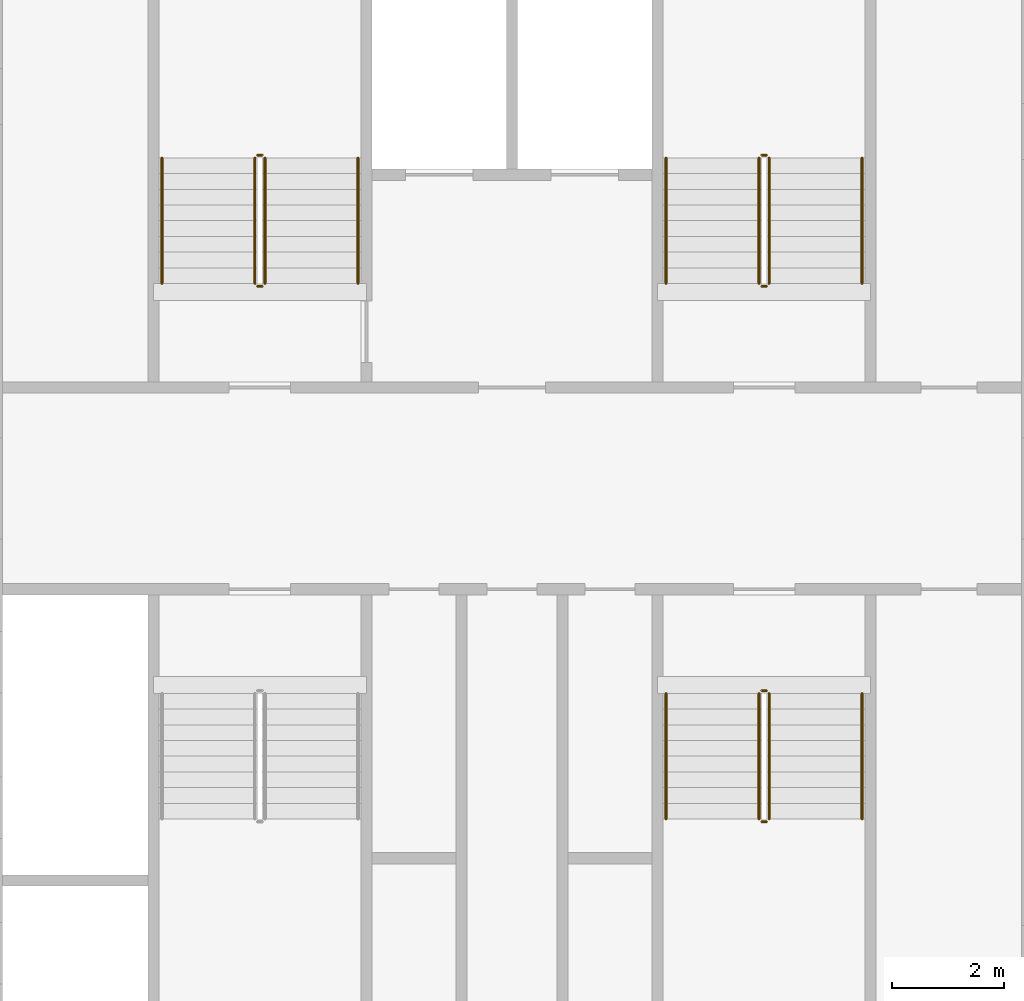
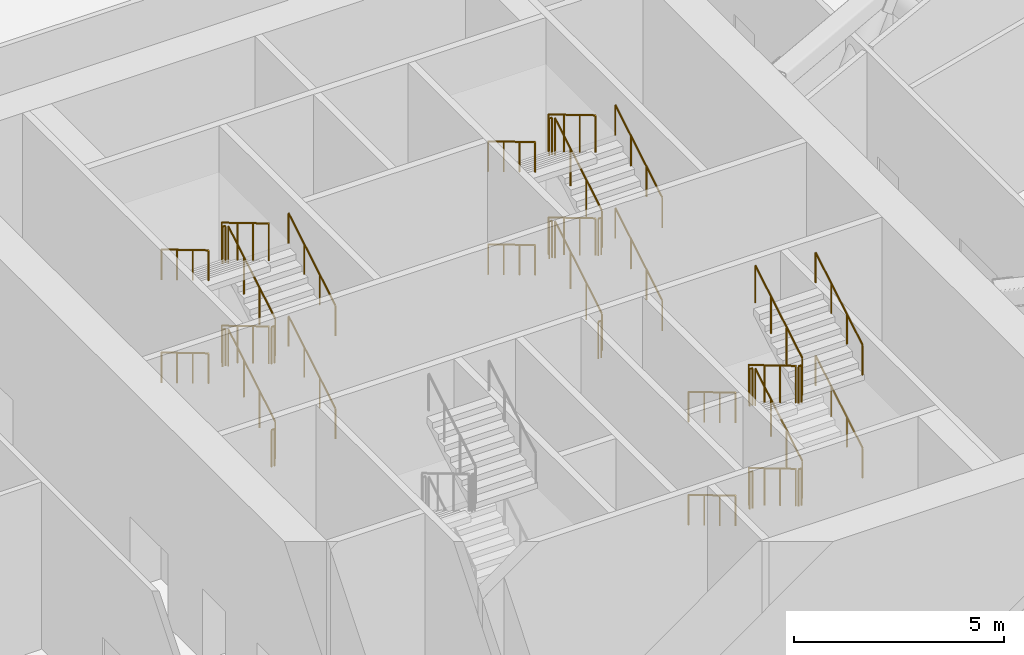
# One storey, part 41 of 48: 36 railings.
"""IFC4 building model written with IfcOpenShell, lengths in metres."""

from ifc_helpers import new_model, si_unit, direction, frame, origin, origin_2d, place, context, subcontext, project, spatial, circle, extrude, material, type_object, element, save


model = new_model("IFC4")

# Units and contexts
model_context = context("Model", 3, precision=1e-05, world=origin(), true_north=direction((0.0, 1.0)))
body_context = subcontext(model_context, "Body", "Model", "MODEL_VIEW")
ifc_project = project(units=[si_unit("LENGTHUNIT", "METRE"), si_unit("AREAUNIT", "SQUARE_METRE"), si_unit("VOLUMEUNIT", "CUBIC_METRE"), si_unit("PLANEANGLEUNIT", "RADIAN"), si_unit("MASSUNIT", "GRAM", prefix="KILO")], contexts=[model_context])

# Site, building, storey
site_placement = place(None, origin())
site = spatial("IfcSite", under=ifc_project, at=site_placement, CompositionType="ELEMENT")
building_placement = place(site_placement, origin())
building = spatial("IfcBuilding", under=site, at=building_placement, Name="Tarsis Ring Headquarters", CompositionType="ELEMENT")
storey_placement = place(building_placement, frame((0.0, 0.0, 34.0)))
storey = spatial("IfcBuildingStorey", under=building, at=storey_placement, Name="L06", CompositionType="ELEMENT", Elevation=34.0)

# Railings
ifc_material = material(Name="Steel S355", Category="steel")
railing_type_1 = type_object("IfcRailingType", Name="Core stair guard 1100", PredefinedType="GUARDRAIL", material=ifc_material)
railing_1_placement = place(storey_placement, frame((-4.409912109375, 3.659912109375, 0.166748046875)))
element("IfcRailing", 1, at=railing_1_placement, inside=storey, type_object=railing_type_1, Name="L06 ST1 stair guard 1", PredefinedType="GUARDRAIL", context=body_context, shape_type="SweptSolid", body=[
    extrude(circle(Radius=0.02392578125, at=origin_2d()), frame((0.0, 0.0, 1.076171875), z_axis=(0.0, 0.859305625298, 0.511462454469), x_axis=(-1.0, 0.0, 0.0)), (0.0, 0.0, 1.0), 2.606689453125),
    extrude(circle(Radius=0.02099609375, at=origin_2d()), origin(), (0.0, 0.0, 1.0), 1.052001953125),
    extrude(circle(Radius=0.02099609375, at=origin_2d()), frame((0.0, 0.74658203125, 0.4443359375)), (0.0, 0.0, 1.0), 1.052001953125),
    extrude(circle(Radius=0.02099609375, at=origin_2d()), frame((0.0, 1.493408203125, 0.888916015625)), (0.0, 0.0, 1.0), 1.052001953125),
    extrude(circle(Radius=0.02099609375, at=origin_2d()), frame((0.0, 2.239990234375, 1.333251953125)), (0.0, 0.0, 1.0), 1.052001953125),
])
railing_2_placement = place(storey_placement, frame((-4.4599609375, 5.949951171875, 1.5)))
element("IfcRailing", 2, at=railing_2_placement, inside=storey, type_object=railing_type_1, Name="L06 ST1 stair guard 2", PredefinedType="GUARDRAIL", context=body_context, shape_type="SweptSolid", body=[
    extrude(circle(Radius=0.02392578125, at=origin_2d()), frame((0.0, 0.0, 1.076171875), z_axis=(-1.0, 0.0, 0.0), x_axis=(0.0, -1.0, 0.0)), (0.0, 0.0, 1.0), 0.080078125),
    extrude(circle(Radius=0.02099609375, at=origin_2d()), origin(), (0.0, 0.0, 1.0), 1.052001953125),
    extrude(circle(Radius=0.02099609375, at=origin_2d()), frame((-0.080078125, 0.0, 0.0)), (0.0, 0.0, 1.0), 1.052001953125),
])
railing_3_placement = place(storey_placement, frame((-4.590087890625, 5.89990234375, 1.666748046875)))
element("IfcRailing", 3, at=railing_3_placement, inside=storey, type_object=railing_type_1, Name="L06 ST1 stair guard 3", PredefinedType="GUARDRAIL", context=body_context, shape_type="SweptSolid", body=[
    extrude(circle(Radius=0.02392578125, at=origin_2d()), frame((0.0, 0.0, 1.076171875), z_axis=(0.0, -0.859305625298, 0.511462454469), x_axis=(1.0, 0.0, 0.0)), (0.0, 0.0, 1.0), 2.606689453125),
    extrude(circle(Radius=0.02099609375, at=origin_2d()), origin(), (0.0, 0.0, 1.0), 1.052001953125),
    extrude(circle(Radius=0.02099609375, at=origin_2d()), frame((0.0, -0.74658203125, 0.4443359375)), (0.0, 0.0, 1.0), 1.052001953125),
    extrude(circle(Radius=0.02099609375, at=origin_2d()), frame((0.0, -1.493408203125, 0.888916015625)), (0.0, 0.0, 1.0), 1.052001953125),
    extrude(circle(Radius=0.02099609375, at=origin_2d()), frame((0.0, -2.239990234375, 1.333251953125)), (0.0, 0.0, 1.0), 1.052001953125),
])
railing_4_placement = place(storey_placement, frame((-4.4599609375, 3.610107421875, 3.0)))
element("IfcRailing", 4, at=railing_4_placement, inside=storey, type_object=railing_type_1, Name="L06 ST1 stair guard 4", PredefinedType="GUARDRAIL", context=body_context, shape_type="SweptSolid", body=[
    extrude(circle(Radius=0.02392578125, at=origin_2d()), frame((0.0, 0.0, 1.076171875), z_axis=(-1.0, 0.0, 0.0), x_axis=(0.0, -1.0, 0.0)), (0.0, 0.0, 1.0), 0.080078125),
    extrude(circle(Radius=0.02099609375, at=origin_2d()), origin(), (0.0, 0.0, 1.0), 1.052001953125),
    extrude(circle(Radius=0.02099609375, at=origin_2d()), frame((-0.080078125, 0.0, 0.0)), (0.0, 0.0, 1.0), 1.052001953125),
])
railing_5_placement = place(storey_placement, frame((-4.409912109375, 3.659912109375, 3.166748046875)))
element("IfcRailing", 5, at=railing_5_placement, inside=storey, type_object=railing_type_1, Name="L06 ST1 stair guard 5", PredefinedType="GUARDRAIL", context=body_context, shape_type="SweptSolid", body=[
    extrude(circle(Radius=0.02392578125, at=origin_2d()), frame((0.0, 0.0, 1.076171875), z_axis=(0.0, 0.859305625298, 0.511462454469), x_axis=(-1.0, 0.0, 0.0)), (0.0, 0.0, 1.0), 2.606689453125),
    extrude(circle(Radius=0.02099609375, at=origin_2d()), origin(), (0.0, 0.0, 1.0), 1.052001953125),
    extrude(circle(Radius=0.02099609375, at=origin_2d()), frame((0.0, 0.74658203125, 0.4443359375)), (0.0, 0.0, 1.0), 1.052001953125),
    extrude(circle(Radius=0.02099609375, at=origin_2d()), frame((0.0, 1.493408203125, 0.888916015625)), (0.0, 0.0, 1.0), 1.052001953125),
    extrude(circle(Radius=0.02099609375, at=origin_2d()), frame((0.0, 2.239990234375, 1.333251953125)), (0.0, 0.0, 1.0), 1.052001953125),
])
railing_6_placement = place(storey_placement, frame((-4.4599609375, 5.949951171875, 4.5)))
element("IfcRailing", 6, at=railing_6_placement, inside=storey, type_object=railing_type_1, Name="L06 ST1 stair guard 6", PredefinedType="GUARDRAIL", context=body_context, shape_type="SweptSolid", body=[
    extrude(circle(Radius=0.02392578125, at=origin_2d()), frame((0.0, 0.0, 1.076171875), z_axis=(-1.0, 0.0, 0.0), x_axis=(0.0, -1.0, 0.0)), (0.0, 0.0, 1.0), 0.080078125),
    extrude(circle(Radius=0.02099609375, at=origin_2d()), origin(), (0.0, 0.0, 1.0), 1.052001953125),
    extrude(circle(Radius=0.02099609375, at=origin_2d()), frame((-0.080078125, 0.0, 0.0)), (0.0, 0.0, 1.0), 1.052001953125),
])
railing_7_placement = place(storey_placement, frame((-4.590087890625, 5.89990234375, 4.666748046875)))
element("IfcRailing", 7, at=railing_7_placement, inside=storey, type_object=railing_type_1, Name="L06 ST1 stair guard 7", PredefinedType="GUARDRAIL", context=body_context, shape_type="SweptSolid", body=[
    extrude(circle(Radius=0.02392578125, at=origin_2d()), frame((0.0, 0.0, 1.076171875), z_axis=(0.0, -0.859305625298, 0.511462454469), x_axis=(1.0, 0.0, 0.0)), (0.0, 0.0, 1.0), 2.606689453125),
    extrude(circle(Radius=0.02099609375, at=origin_2d()), origin(), (0.0, 0.0, 1.0), 1.052001953125),
    extrude(circle(Radius=0.02099609375, at=origin_2d()), frame((0.0, -0.74658203125, 0.4443359375)), (0.0, 0.0, 1.0), 1.052001953125),
    extrude(circle(Radius=0.02099609375, at=origin_2d()), frame((0.0, -1.493408203125, 0.888916015625)), (0.0, 0.0, 1.0), 1.052001953125),
    extrude(circle(Radius=0.02099609375, at=origin_2d()), frame((0.0, -2.239990234375, 1.333251953125)), (0.0, 0.0, 1.0), 1.052001953125),
])
railing_8_placement = place(storey_placement, frame((-4.4599609375, 3.610107421875, 0.0)))
element("IfcRailing", 8, at=railing_8_placement, inside=storey, type_object=railing_type_1, Name="L06 ST1 stair guard 8", PredefinedType="GUARDRAIL", context=body_context, shape_type="SweptSolid", body=[
    extrude(circle(Radius=0.02392578125, at=origin_2d()), frame((0.0, 0.0, 1.076171875), z_axis=(-1.0, 0.0, 0.0), x_axis=(0.0, -1.0, 0.0)), (0.0, 0.0, 1.0), 0.080078125),
    extrude(circle(Radius=0.02099609375, at=origin_2d()), origin(), (0.0, 0.0, 1.0), 1.052001953125),
    extrude(circle(Radius=0.02099609375, at=origin_2d()), frame((-0.080078125, 0.0, 0.0)), (0.0, 0.0, 1.0), 1.052001953125),
])
railing_9_placement = place(storey_placement, frame((4.590087890625, 3.659912109375, 0.166748046875)))
element("IfcRailing", 9, at=railing_9_placement, inside=storey, type_object=railing_type_1, Name="L06 ST2 stair guard 1", PredefinedType="GUARDRAIL", context=body_context, shape_type="SweptSolid", body=[
    extrude(circle(Radius=0.02392578125, at=origin_2d()), frame((0.0, 0.0, 1.076171875), z_axis=(0.0, 0.859305625298, 0.511462454469), x_axis=(-1.0, 0.0, 0.0)), (0.0, 0.0, 1.0), 2.606689453125),
    extrude(circle(Radius=0.02099609375, at=origin_2d()), origin(), (0.0, 0.0, 1.0), 1.052001953125),
    extrude(circle(Radius=0.02099609375, at=origin_2d()), frame((0.0, 0.74658203125, 0.4443359375)), (0.0, 0.0, 1.0), 1.052001953125),
    extrude(circle(Radius=0.02099609375, at=origin_2d()), frame((0.0, 1.493408203125, 0.888916015625)), (0.0, 0.0, 1.0), 1.052001953125),
    extrude(circle(Radius=0.02099609375, at=origin_2d()), frame((0.0, 2.239990234375, 1.333251953125)), (0.0, 0.0, 1.0), 1.052001953125),
])
railing_10_placement = place(storey_placement, frame((4.5400390625, 5.949951171875, 1.5)))
element("IfcRailing", 10, at=railing_10_placement, inside=storey, type_object=railing_type_1, Name="L06 ST2 stair guard 2", PredefinedType="GUARDRAIL", context=body_context, shape_type="SweptSolid", body=[
    extrude(circle(Radius=0.02392578125, at=origin_2d()), frame((0.0, 0.0, 1.076171875), z_axis=(-1.0, 0.0, 0.0), x_axis=(0.0, -1.0, 0.0)), (0.0, 0.0, 1.0), 0.080078125),
    extrude(circle(Radius=0.02099609375, at=origin_2d()), origin(), (0.0, 0.0, 1.0), 1.052001953125),
    extrude(circle(Radius=0.02099609375, at=origin_2d()), frame((-0.080078125, 0.0, 0.0)), (0.0, 0.0, 1.0), 1.052001953125),
])
railing_11_placement = place(storey_placement, frame((4.409912109375, 5.89990234375, 1.666748046875)))
element("IfcRailing", 11, at=railing_11_placement, inside=storey, type_object=railing_type_1, Name="L06 ST2 stair guard 3", PredefinedType="GUARDRAIL", context=body_context, shape_type="SweptSolid", body=[
    extrude(circle(Radius=0.02392578125, at=origin_2d()), frame((0.0, 0.0, 1.076171875), z_axis=(0.0, -0.859305625298, 0.511462454469), x_axis=(1.0, 0.0, 0.0)), (0.0, 0.0, 1.0), 2.606689453125),
    extrude(circle(Radius=0.02099609375, at=origin_2d()), origin(), (0.0, 0.0, 1.0), 1.052001953125),
    extrude(circle(Radius=0.02099609375, at=origin_2d()), frame((0.0, -0.74658203125, 0.4443359375)), (0.0, 0.0, 1.0), 1.052001953125),
    extrude(circle(Radius=0.02099609375, at=origin_2d()), frame((0.0, -1.493408203125, 0.888916015625)), (0.0, 0.0, 1.0), 1.052001953125),
    extrude(circle(Radius=0.02099609375, at=origin_2d()), frame((0.0, -2.239990234375, 1.333251953125)), (0.0, 0.0, 1.0), 1.052001953125),
])
railing_12_placement = place(storey_placement, frame((4.5400390625, 3.610107421875, 3.0)))
element("IfcRailing", 12, at=railing_12_placement, inside=storey, type_object=railing_type_1, Name="L06 ST2 stair guard 4", PredefinedType="GUARDRAIL", context=body_context, shape_type="SweptSolid", body=[
    extrude(circle(Radius=0.02392578125, at=origin_2d()), frame((0.0, 0.0, 1.076171875), z_axis=(-1.0, 0.0, 0.0), x_axis=(0.0, -1.0, 0.0)), (0.0, 0.0, 1.0), 0.080078125),
    extrude(circle(Radius=0.02099609375, at=origin_2d()), origin(), (0.0, 0.0, 1.0), 1.052001953125),
    extrude(circle(Radius=0.02099609375, at=origin_2d()), frame((-0.080078125, 0.0, 0.0)), (0.0, 0.0, 1.0), 1.052001953125),
])
railing_13_placement = place(storey_placement, frame((4.590087890625, 3.659912109375, 3.166748046875)))
element("IfcRailing", 13, at=railing_13_placement, inside=storey, type_object=railing_type_1, Name="L06 ST2 stair guard 5", PredefinedType="GUARDRAIL", context=body_context, shape_type="SweptSolid", body=[
    extrude(circle(Radius=0.02392578125, at=origin_2d()), frame((0.0, 0.0, 1.076171875), z_axis=(0.0, 0.859305625298, 0.511462454469), x_axis=(-1.0, 0.0, 0.0)), (0.0, 0.0, 1.0), 2.606689453125),
    extrude(circle(Radius=0.02099609375, at=origin_2d()), origin(), (0.0, 0.0, 1.0), 1.052001953125),
    extrude(circle(Radius=0.02099609375, at=origin_2d()), frame((0.0, 0.74658203125, 0.4443359375)), (0.0, 0.0, 1.0), 1.052001953125),
    extrude(circle(Radius=0.02099609375, at=origin_2d()), frame((0.0, 1.493408203125, 0.888916015625)), (0.0, 0.0, 1.0), 1.052001953125),
    extrude(circle(Radius=0.02099609375, at=origin_2d()), frame((0.0, 2.239990234375, 1.333251953125)), (0.0, 0.0, 1.0), 1.052001953125),
])
railing_14_placement = place(storey_placement, frame((4.5400390625, 5.949951171875, 4.5)))
element("IfcRailing", 14, at=railing_14_placement, inside=storey, type_object=railing_type_1, Name="L06 ST2 stair guard 6", PredefinedType="GUARDRAIL", context=body_context, shape_type="SweptSolid", body=[
    extrude(circle(Radius=0.02392578125, at=origin_2d()), frame((0.0, 0.0, 1.076171875), z_axis=(-1.0, 0.0, 0.0), x_axis=(0.0, -1.0, 0.0)), (0.0, 0.0, 1.0), 0.080078125),
    extrude(circle(Radius=0.02099609375, at=origin_2d()), origin(), (0.0, 0.0, 1.0), 1.052001953125),
    extrude(circle(Radius=0.02099609375, at=origin_2d()), frame((-0.080078125, 0.0, 0.0)), (0.0, 0.0, 1.0), 1.052001953125),
])
railing_15_placement = place(storey_placement, frame((4.409912109375, 5.89990234375, 4.666748046875)))
element("IfcRailing", 15, at=railing_15_placement, inside=storey, type_object=railing_type_1, Name="L06 ST2 stair guard 7", PredefinedType="GUARDRAIL", context=body_context, shape_type="SweptSolid", body=[
    extrude(circle(Radius=0.02392578125, at=origin_2d()), frame((0.0, 0.0, 1.076171875), z_axis=(0.0, -0.859305625298, 0.511462454469), x_axis=(1.0, 0.0, 0.0)), (0.0, 0.0, 1.0), 2.606689453125),
    extrude(circle(Radius=0.02099609375, at=origin_2d()), origin(), (0.0, 0.0, 1.0), 1.052001953125),
    extrude(circle(Radius=0.02099609375, at=origin_2d()), frame((0.0, -0.74658203125, 0.4443359375)), (0.0, 0.0, 1.0), 1.052001953125),
    extrude(circle(Radius=0.02099609375, at=origin_2d()), frame((0.0, -1.493408203125, 0.888916015625)), (0.0, 0.0, 1.0), 1.052001953125),
    extrude(circle(Radius=0.02099609375, at=origin_2d()), frame((0.0, -2.239990234375, 1.333251953125)), (0.0, 0.0, 1.0), 1.052001953125),
])
railing_16_placement = place(storey_placement, frame((4.5400390625, 3.610107421875, 0.0)))
element("IfcRailing", 16, at=railing_16_placement, inside=storey, type_object=railing_type_1, Name="L06 ST2 stair guard 8", PredefinedType="GUARDRAIL", context=body_context, shape_type="SweptSolid", body=[
    extrude(circle(Radius=0.02392578125, at=origin_2d()), frame((0.0, 0.0, 1.076171875), z_axis=(-1.0, 0.0, 0.0), x_axis=(0.0, -1.0, 0.0)), (0.0, 0.0, 1.0), 0.080078125),
    extrude(circle(Radius=0.02099609375, at=origin_2d()), origin(), (0.0, 0.0, 1.0), 1.052001953125),
    extrude(circle(Radius=0.02099609375, at=origin_2d()), frame((-0.080078125, 0.0, 0.0)), (0.0, 0.0, 1.0), 1.052001953125),
])
railing_17_placement = place(storey_placement, frame((4.409912109375, -3.659912109375, 0.166748046875)))
element("IfcRailing", 17, at=railing_17_placement, inside=storey, type_object=railing_type_1, Name="L06 ST4 stair guard 1", PredefinedType="GUARDRAIL", context=body_context, shape_type="SweptSolid", body=[
    extrude(circle(Radius=0.02392578125, at=origin_2d()), frame((0.0, 0.0, 1.076171875), z_axis=(0.0, -0.859305625298, 0.511462454469), x_axis=(1.0, 0.0, 0.0)), (0.0, 0.0, 1.0), 2.606689453125),
    extrude(circle(Radius=0.02099609375, at=origin_2d()), origin(), (0.0, 0.0, 1.0), 1.052001953125),
    extrude(circle(Radius=0.02099609375, at=origin_2d()), frame((0.0, -0.74658203125, 0.4443359375)), (0.0, 0.0, 1.0), 1.052001953125),
    extrude(circle(Radius=0.02099609375, at=origin_2d()), frame((0.0, -1.493408203125, 0.888916015625)), (0.0, 0.0, 1.0), 1.052001953125),
    extrude(circle(Radius=0.02099609375, at=origin_2d()), frame((0.0, -2.239990234375, 1.333251953125)), (0.0, 0.0, 1.0), 1.052001953125),
])
railing_18_placement = place(storey_placement, frame((4.4599609375, -5.949951171875, 1.5)))
element("IfcRailing", 18, at=railing_18_placement, inside=storey, type_object=railing_type_1, Name="L06 ST4 stair guard 2", PredefinedType="GUARDRAIL", context=body_context, shape_type="SweptSolid", body=[
    extrude(circle(Radius=0.02392578125, at=origin_2d()), frame((0.0, 0.0, 1.076171875), z_axis=(1.0, 0.0, 0.0), x_axis=(0.0, 1.0, 0.0)), (0.0, 0.0, 1.0), 0.080078125),
    extrude(circle(Radius=0.02099609375, at=origin_2d()), origin(), (0.0, 0.0, 1.0), 1.052001953125),
    extrude(circle(Radius=0.02099609375, at=origin_2d()), frame((0.080078125, 0.0, 0.0)), (0.0, 0.0, 1.0), 1.052001953125),
])
railing_19_placement = place(storey_placement, frame((4.590087890625, -5.89990234375, 1.666748046875)))
element("IfcRailing", 19, at=railing_19_placement, inside=storey, type_object=railing_type_1, Name="L06 ST4 stair guard 3", PredefinedType="GUARDRAIL", context=body_context, shape_type="SweptSolid", body=[
    extrude(circle(Radius=0.02392578125, at=origin_2d()), frame((0.0, 0.0, 1.076171875), z_axis=(0.0, 0.859305625298, 0.511462454469), x_axis=(-1.0, 0.0, 0.0)), (0.0, 0.0, 1.0), 2.606689453125),
    extrude(circle(Radius=0.02099609375, at=origin_2d()), origin(), (0.0, 0.0, 1.0), 1.052001953125),
    extrude(circle(Radius=0.02099609375, at=origin_2d()), frame((0.0, 0.74658203125, 0.4443359375)), (0.0, 0.0, 1.0), 1.052001953125),
    extrude(circle(Radius=0.02099609375, at=origin_2d()), frame((0.0, 1.493408203125, 0.888916015625)), (0.0, 0.0, 1.0), 1.052001953125),
    extrude(circle(Radius=0.02099609375, at=origin_2d()), frame((0.0, 2.239990234375, 1.333251953125)), (0.0, 0.0, 1.0), 1.052001953125),
])
railing_20_placement = place(storey_placement, frame((4.4599609375, -3.610107421875, 3.0)))
element("IfcRailing", 20, at=railing_20_placement, inside=storey, type_object=railing_type_1, Name="L06 ST4 stair guard 4", PredefinedType="GUARDRAIL", context=body_context, shape_type="SweptSolid", body=[
    extrude(circle(Radius=0.02392578125, at=origin_2d()), frame((0.0, 0.0, 1.076171875), z_axis=(1.0, 0.0, 0.0), x_axis=(0.0, 1.0, 0.0)), (0.0, 0.0, 1.0), 0.080078125),
    extrude(circle(Radius=0.02099609375, at=origin_2d()), origin(), (0.0, 0.0, 1.0), 1.052001953125),
    extrude(circle(Radius=0.02099609375, at=origin_2d()), frame((0.080078125, 0.0, 0.0)), (0.0, 0.0, 1.0), 1.052001953125),
])
railing_21_placement = place(storey_placement, frame((4.409912109375, -3.659912109375, 3.166748046875)))
element("IfcRailing", 21, at=railing_21_placement, inside=storey, type_object=railing_type_1, Name="L06 ST4 stair guard 5", PredefinedType="GUARDRAIL", context=body_context, shape_type="SweptSolid", body=[
    extrude(circle(Radius=0.02392578125, at=origin_2d()), frame((0.0, 0.0, 1.076171875), z_axis=(0.0, -0.859305625298, 0.511462454469), x_axis=(1.0, 0.0, 0.0)), (0.0, 0.0, 1.0), 2.606689453125),
    extrude(circle(Radius=0.02099609375, at=origin_2d()), origin(), (0.0, 0.0, 1.0), 1.052001953125),
    extrude(circle(Radius=0.02099609375, at=origin_2d()), frame((0.0, -0.74658203125, 0.4443359375)), (0.0, 0.0, 1.0), 1.052001953125),
    extrude(circle(Radius=0.02099609375, at=origin_2d()), frame((0.0, -1.493408203125, 0.888916015625)), (0.0, 0.0, 1.0), 1.052001953125),
    extrude(circle(Radius=0.02099609375, at=origin_2d()), frame((0.0, -2.239990234375, 1.333251953125)), (0.0, 0.0, 1.0), 1.052001953125),
])
railing_22_placement = place(storey_placement, frame((4.4599609375, -5.949951171875, 4.5)))
element("IfcRailing", 22, at=railing_22_placement, inside=storey, type_object=railing_type_1, Name="L06 ST4 stair guard 6", PredefinedType="GUARDRAIL", context=body_context, shape_type="SweptSolid", body=[
    extrude(circle(Radius=0.02392578125, at=origin_2d()), frame((0.0, 0.0, 1.076171875), z_axis=(1.0, 0.0, 0.0), x_axis=(0.0, 1.0, 0.0)), (0.0, 0.0, 1.0), 0.080078125),
    extrude(circle(Radius=0.02099609375, at=origin_2d()), origin(), (0.0, 0.0, 1.0), 1.052001953125),
    extrude(circle(Radius=0.02099609375, at=origin_2d()), frame((0.080078125, 0.0, 0.0)), (0.0, 0.0, 1.0), 1.052001953125),
])
railing_23_placement = place(storey_placement, frame((4.590087890625, -5.89990234375, 4.666748046875)))
element("IfcRailing", 23, at=railing_23_placement, inside=storey, type_object=railing_type_1, Name="L06 ST4 stair guard 7", PredefinedType="GUARDRAIL", context=body_context, shape_type="SweptSolid", body=[
    extrude(circle(Radius=0.02392578125, at=origin_2d()), frame((0.0, 0.0, 1.076171875), z_axis=(0.0, 0.859305625298, 0.511462454469), x_axis=(-1.0, 0.0, 0.0)), (0.0, 0.0, 1.0), 2.606689453125),
    extrude(circle(Radius=0.02099609375, at=origin_2d()), origin(), (0.0, 0.0, 1.0), 1.052001953125),
    extrude(circle(Radius=0.02099609375, at=origin_2d()), frame((0.0, 0.74658203125, 0.4443359375)), (0.0, 0.0, 1.0), 1.052001953125),
    extrude(circle(Radius=0.02099609375, at=origin_2d()), frame((0.0, 1.493408203125, 0.888916015625)), (0.0, 0.0, 1.0), 1.052001953125),
    extrude(circle(Radius=0.02099609375, at=origin_2d()), frame((0.0, 2.239990234375, 1.333251953125)), (0.0, 0.0, 1.0), 1.052001953125),
])
railing_24_placement = place(storey_placement, frame((4.4599609375, -3.610107421875, 0.0)))
element("IfcRailing", 24, at=railing_24_placement, inside=storey, type_object=railing_type_1, Name="L06 ST4 stair guard 8", PredefinedType="GUARDRAIL", context=body_context, shape_type="SweptSolid", body=[
    extrude(circle(Radius=0.02392578125, at=origin_2d()), frame((0.0, 0.0, 1.076171875), z_axis=(1.0, 0.0, 0.0), x_axis=(0.0, 1.0, 0.0)), (0.0, 0.0, 1.0), 0.080078125),
    extrude(circle(Radius=0.02099609375, at=origin_2d()), origin(), (0.0, 0.0, 1.0), 1.052001953125),
    extrude(circle(Radius=0.02099609375, at=origin_2d()), frame((0.080078125, 0.0, 0.0)), (0.0, 0.0, 1.0), 1.052001953125),
])
railing_type_2 = type_object("IfcRailingType", Name="Core stair handrail 900", PredefinedType="HANDRAIL", material=ifc_material)
railing_25_placement = place(storey_placement, frame((-2.75, 3.659912109375, 0.166748046875)))
element("IfcRailing", 25, at=railing_25_placement, inside=storey, type_object=railing_type_2, Name="L06 ST1 stair handrail 1", PredefinedType="HANDRAIL", context=body_context, shape_type="SweptSolid", body=[
    extrude(circle(Radius=0.02392578125, at=origin_2d()), frame((0.0, 0.0, 0.8759765625), z_axis=(0.0, 0.859305625298, 0.511462454469), x_axis=(-1.0, 0.0, 0.0)), (0.0, 0.0, 1.0), 2.606689453125),
    extrude(circle(Radius=0.02099609375, at=origin_2d()), origin(), (0.0, 0.0, 1.0), 0.851806640625),
    extrude(circle(Radius=0.02099609375, at=origin_2d()), frame((0.0, 0.74658203125, 0.4443359375)), (0.0, 0.0, 1.0), 0.851806640625),
    extrude(circle(Radius=0.02099609375, at=origin_2d()), frame((0.0, 1.493408203125, 0.888916015625)), (0.0, 0.0, 1.0), 0.851806640625),
    extrude(circle(Radius=0.02099609375, at=origin_2d()), frame((0.0, 2.239990234375, 1.333251953125)), (0.0, 0.0, 1.0), 0.851806640625),
])
railing_26_placement = place(storey_placement, frame((-6.25, 5.89990234375, 1.666748046875)))
element("IfcRailing", 26, at=railing_26_placement, inside=storey, type_object=railing_type_2, Name="L06 ST1 stair handrail 2", PredefinedType="HANDRAIL", context=body_context, shape_type="SweptSolid", body=[
    extrude(circle(Radius=0.02392578125, at=origin_2d()), frame((0.0, 0.0, 0.8759765625), z_axis=(0.0, -0.859305625298, 0.511462454469), x_axis=(1.0, 0.0, 0.0)), (0.0, 0.0, 1.0), 2.606689453125),
    extrude(circle(Radius=0.02099609375, at=origin_2d()), origin(), (0.0, 0.0, 1.0), 0.851806640625),
    extrude(circle(Radius=0.02099609375, at=origin_2d()), frame((0.0, -0.74658203125, 0.4443359375)), (0.0, 0.0, 1.0), 0.851806640625),
    extrude(circle(Radius=0.02099609375, at=origin_2d()), frame((0.0, -1.493408203125, 0.888916015625)), (0.0, 0.0, 1.0), 0.851806640625),
    extrude(circle(Radius=0.02099609375, at=origin_2d()), frame((0.0, -2.239990234375, 1.333251953125)), (0.0, 0.0, 1.0), 0.851806640625),
])
railing_27_placement = place(storey_placement, frame((-2.75, 3.659912109375, 3.166748046875)))
element("IfcRailing", 27, at=railing_27_placement, inside=storey, type_object=railing_type_2, Name="L06 ST1 stair handrail 3", PredefinedType="HANDRAIL", context=body_context, shape_type="SweptSolid", body=[
    extrude(circle(Radius=0.02392578125, at=origin_2d()), frame((0.0, 0.0, 0.8759765625), z_axis=(0.0, 0.859305625298, 0.511462454469), x_axis=(-1.0, 0.0, 0.0)), (0.0, 0.0, 1.0), 2.606689453125),
    extrude(circle(Radius=0.02099609375, at=origin_2d()), origin(), (0.0, 0.0, 1.0), 0.851806640625),
    extrude(circle(Radius=0.02099609375, at=origin_2d()), frame((0.0, 0.74658203125, 0.4443359375)), (0.0, 0.0, 1.0), 0.851806640625),
    extrude(circle(Radius=0.02099609375, at=origin_2d()), frame((0.0, 1.493408203125, 0.888916015625)), (0.0, 0.0, 1.0), 0.851806640625),
    extrude(circle(Radius=0.02099609375, at=origin_2d()), frame((0.0, 2.239990234375, 1.333251953125)), (0.0, 0.0, 1.0), 0.851806640625),
])
railing_28_placement = place(storey_placement, frame((-6.25, 5.89990234375, 4.666748046875)))
element("IfcRailing", 28, at=railing_28_placement, inside=storey, type_object=railing_type_2, Name="L06 ST1 stair handrail 4", PredefinedType="HANDRAIL", context=body_context, shape_type="SweptSolid", body=[
    extrude(circle(Radius=0.02392578125, at=origin_2d()), frame((0.0, 0.0, 0.8759765625), z_axis=(0.0, -0.859305625298, 0.511462454469), x_axis=(1.0, 0.0, 0.0)), (0.0, 0.0, 1.0), 2.606689453125),
    extrude(circle(Radius=0.02099609375, at=origin_2d()), origin(), (0.0, 0.0, 1.0), 0.851806640625),
    extrude(circle(Radius=0.02099609375, at=origin_2d()), frame((0.0, -0.74658203125, 0.4443359375)), (0.0, 0.0, 1.0), 0.851806640625),
    extrude(circle(Radius=0.02099609375, at=origin_2d()), frame((0.0, -1.493408203125, 0.888916015625)), (0.0, 0.0, 1.0), 0.851806640625),
    extrude(circle(Radius=0.02099609375, at=origin_2d()), frame((0.0, -2.239990234375, 1.333251953125)), (0.0, 0.0, 1.0), 0.851806640625),
])
railing_29_placement = place(storey_placement, frame((6.25, 3.659912109375, 0.166748046875)))
element("IfcRailing", 29, at=railing_29_placement, inside=storey, type_object=railing_type_2, Name="L06 ST2 stair handrail 1", PredefinedType="HANDRAIL", context=body_context, shape_type="SweptSolid", body=[
    extrude(circle(Radius=0.02392578125, at=origin_2d()), frame((0.0, 0.0, 0.8759765625), z_axis=(0.0, 0.859305625298, 0.511462454469), x_axis=(-1.0, 0.0, 0.0)), (0.0, 0.0, 1.0), 2.606689453125),
    extrude(circle(Radius=0.02099609375, at=origin_2d()), origin(), (0.0, 0.0, 1.0), 0.851806640625),
    extrude(circle(Radius=0.02099609375, at=origin_2d()), frame((0.0, 0.74658203125, 0.4443359375)), (0.0, 0.0, 1.0), 0.851806640625),
    extrude(circle(Radius=0.02099609375, at=origin_2d()), frame((0.0, 1.493408203125, 0.888916015625)), (0.0, 0.0, 1.0), 0.851806640625),
    extrude(circle(Radius=0.02099609375, at=origin_2d()), frame((0.0, 2.239990234375, 1.333251953125)), (0.0, 0.0, 1.0), 0.851806640625),
])
railing_30_placement = place(storey_placement, frame((2.75, 5.89990234375, 1.666748046875)))
element("IfcRailing", 30, at=railing_30_placement, inside=storey, type_object=railing_type_2, Name="L06 ST2 stair handrail 2", PredefinedType="HANDRAIL", context=body_context, shape_type="SweptSolid", body=[
    extrude(circle(Radius=0.02392578125, at=origin_2d()), frame((0.0, 0.0, 0.8759765625), z_axis=(0.0, -0.859305625298, 0.511462454469), x_axis=(1.0, 0.0, 0.0)), (0.0, 0.0, 1.0), 2.606689453125),
    extrude(circle(Radius=0.02099609375, at=origin_2d()), origin(), (0.0, 0.0, 1.0), 0.851806640625),
    extrude(circle(Radius=0.02099609375, at=origin_2d()), frame((0.0, -0.74658203125, 0.4443359375)), (0.0, 0.0, 1.0), 0.851806640625),
    extrude(circle(Radius=0.02099609375, at=origin_2d()), frame((0.0, -1.493408203125, 0.888916015625)), (0.0, 0.0, 1.0), 0.851806640625),
    extrude(circle(Radius=0.02099609375, at=origin_2d()), frame((0.0, -2.239990234375, 1.333251953125)), (0.0, 0.0, 1.0), 0.851806640625),
])
railing_31_placement = place(storey_placement, frame((6.25, 3.659912109375, 3.166748046875)))
element("IfcRailing", 31, at=railing_31_placement, inside=storey, type_object=railing_type_2, Name="L06 ST2 stair handrail 3", PredefinedType="HANDRAIL", context=body_context, shape_type="SweptSolid", body=[
    extrude(circle(Radius=0.02392578125, at=origin_2d()), frame((0.0, 0.0, 0.8759765625), z_axis=(0.0, 0.859305625298, 0.511462454469), x_axis=(-1.0, 0.0, 0.0)), (0.0, 0.0, 1.0), 2.606689453125),
    extrude(circle(Radius=0.02099609375, at=origin_2d()), origin(), (0.0, 0.0, 1.0), 0.851806640625),
    extrude(circle(Radius=0.02099609375, at=origin_2d()), frame((0.0, 0.74658203125, 0.4443359375)), (0.0, 0.0, 1.0), 0.851806640625),
    extrude(circle(Radius=0.02099609375, at=origin_2d()), frame((0.0, 1.493408203125, 0.888916015625)), (0.0, 0.0, 1.0), 0.851806640625),
    extrude(circle(Radius=0.02099609375, at=origin_2d()), frame((0.0, 2.239990234375, 1.333251953125)), (0.0, 0.0, 1.0), 0.851806640625),
])
for number, where, name in (
    (32, (2.75, 5.89990234375, 4.666748046875), "L06 ST2 stair handrail 4"),
    (33, (2.75, -3.659912109375, 0.166748046875), "L06 ST4 stair handrail 1"),
):
    element("IfcRailing", number, at=place(storey_placement, frame(where)), inside=storey, type_object=railing_type_2, Name=name, PredefinedType="HANDRAIL", context=body_context, shape_type="SweptSolid", body=[
        extrude(circle(Radius=0.02392578125, at=origin_2d()), frame((0.0, 0.0, 0.8759765625), z_axis=(0.0, -0.859305625298, 0.511462454469), x_axis=(1.0, 0.0, 0.0)), (0.0, 0.0, 1.0), 2.606689453125),
        extrude(circle(Radius=0.02099609375, at=origin_2d()), origin(), (0.0, 0.0, 1.0), 0.851806640625),
        extrude(circle(Radius=0.02099609375, at=origin_2d()), frame((0.0, -0.74658203125, 0.4443359375)), (0.0, 0.0, 1.0), 0.851806640625),
        extrude(circle(Radius=0.02099609375, at=origin_2d()), frame((0.0, -1.493408203125, 0.888916015625)), (0.0, 0.0, 1.0), 0.851806640625),
        extrude(circle(Radius=0.02099609375, at=origin_2d()), frame((0.0, -2.239990234375, 1.333251953125)), (0.0, 0.0, 1.0), 0.851806640625),
    ])
railing_32_placement = place(storey_placement, frame((6.25, -5.89990234375, 1.666748046875)))
element("IfcRailing", 34, at=railing_32_placement, inside=storey, type_object=railing_type_2, Name="L06 ST4 stair handrail 2", PredefinedType="HANDRAIL", context=body_context, shape_type="SweptSolid", body=[
    extrude(circle(Radius=0.02392578125, at=origin_2d()), frame((0.0, 0.0, 0.8759765625), z_axis=(0.0, 0.859305625298, 0.511462454469), x_axis=(-1.0, 0.0, 0.0)), (0.0, 0.0, 1.0), 2.606689453125),
    extrude(circle(Radius=0.02099609375, at=origin_2d()), origin(), (0.0, 0.0, 1.0), 0.851806640625),
    extrude(circle(Radius=0.02099609375, at=origin_2d()), frame((0.0, 0.74658203125, 0.4443359375)), (0.0, 0.0, 1.0), 0.851806640625),
    extrude(circle(Radius=0.02099609375, at=origin_2d()), frame((0.0, 1.493408203125, 0.888916015625)), (0.0, 0.0, 1.0), 0.851806640625),
    extrude(circle(Radius=0.02099609375, at=origin_2d()), frame((0.0, 2.239990234375, 1.333251953125)), (0.0, 0.0, 1.0), 0.851806640625),
])
railing_33_placement = place(storey_placement, frame((2.75, -3.659912109375, 3.166748046875)))
element("IfcRailing", 35, at=railing_33_placement, inside=storey, type_object=railing_type_2, Name="L06 ST4 stair handrail 3", PredefinedType="HANDRAIL", context=body_context, shape_type="SweptSolid", body=[
    extrude(circle(Radius=0.02392578125, at=origin_2d()), frame((0.0, 0.0, 0.8759765625), z_axis=(0.0, -0.859305625298, 0.511462454469), x_axis=(1.0, 0.0, 0.0)), (0.0, 0.0, 1.0), 2.606689453125),
    extrude(circle(Radius=0.02099609375, at=origin_2d()), origin(), (0.0, 0.0, 1.0), 0.851806640625),
    extrude(circle(Radius=0.02099609375, at=origin_2d()), frame((0.0, -0.74658203125, 0.4443359375)), (0.0, 0.0, 1.0), 0.851806640625),
    extrude(circle(Radius=0.02099609375, at=origin_2d()), frame((0.0, -1.493408203125, 0.888916015625)), (0.0, 0.0, 1.0), 0.851806640625),
    extrude(circle(Radius=0.02099609375, at=origin_2d()), frame((0.0, -2.239990234375, 1.333251953125)), (0.0, 0.0, 1.0), 0.851806640625),
])
railing_34_placement = place(storey_placement, frame((6.25, -5.89990234375, 4.666748046875)))
element("IfcRailing", 36, at=railing_34_placement, inside=storey, type_object=railing_type_2, Name="L06 ST4 stair handrail 4", PredefinedType="HANDRAIL", context=body_context, shape_type="SweptSolid", body=[
    extrude(circle(Radius=0.02392578125, at=origin_2d()), frame((0.0, 0.0, 0.8759765625), z_axis=(0.0, 0.859305625298, 0.511462454469), x_axis=(-1.0, 0.0, 0.0)), (0.0, 0.0, 1.0), 2.606689453125),
    extrude(circle(Radius=0.02099609375, at=origin_2d()), origin(), (0.0, 0.0, 1.0), 0.851806640625),
    extrude(circle(Radius=0.02099609375, at=origin_2d()), frame((0.0, 0.74658203125, 0.4443359375)), (0.0, 0.0, 1.0), 0.851806640625),
    extrude(circle(Radius=0.02099609375, at=origin_2d()), frame((0.0, 1.493408203125, 0.888916015625)), (0.0, 0.0, 1.0), 0.851806640625),
    extrude(circle(Radius=0.02099609375, at=origin_2d()), frame((0.0, 2.239990234375, 1.333251953125)), (0.0, 0.0, 1.0), 0.851806640625),
])

save(model, "model.ifc")
